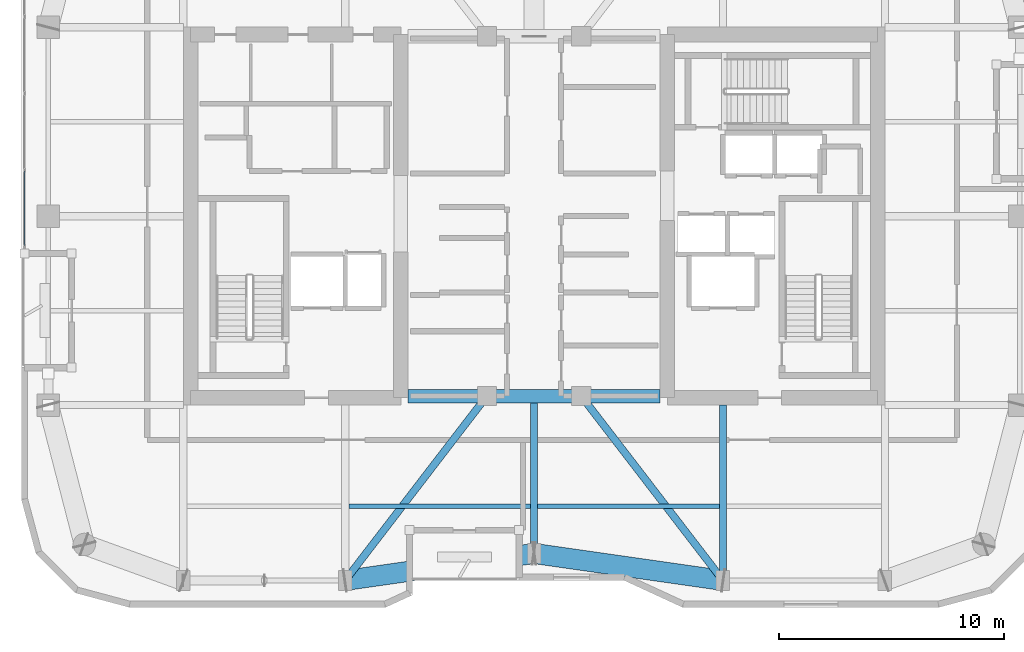
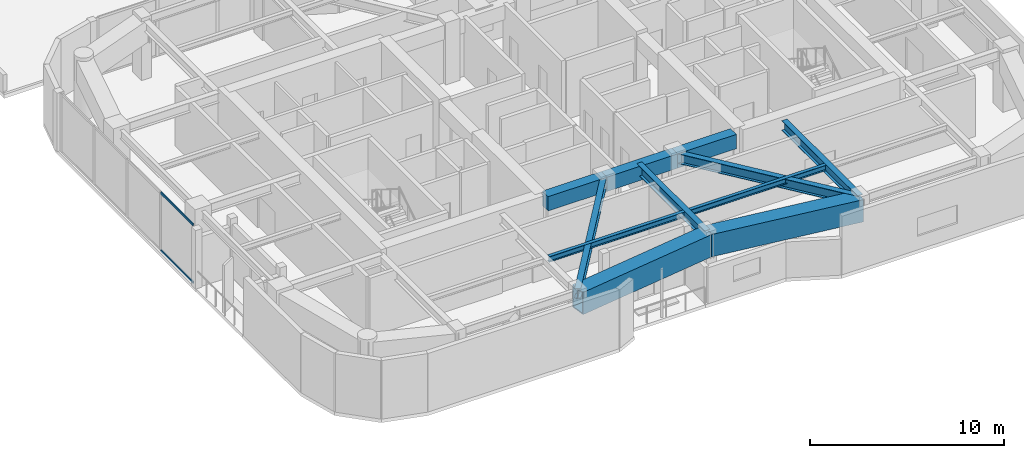
# One storey, part 3 of 16: 11 beams, 2 members, 1 element without a shape of its own.
"""IFC4 building model written with IfcOpenShell, lengths in metres."""

from ifc_helpers import new_model, si_unit, direction, frame, origin, origin_2d, place, context, subcontext, project, spatial, rectangle, hollow_rectangle, i_section, extrude, material, layer, layer_set, material_profile, profile_set, type_object, element, aggregate, save


model = new_model("IFC4")

# Units and contexts
model_context = context("Model", 3, precision=1e-05, world=origin(), true_north=direction((0.0, 1.0)))
body_context = subcontext(model_context, "Body", "Model", "MODEL_VIEW")
ifc_project = project(units=[si_unit("LENGTHUNIT", "METRE"), si_unit("AREAUNIT", "SQUARE_METRE"), si_unit("VOLUMEUNIT", "CUBIC_METRE"), si_unit("PLANEANGLEUNIT", "RADIAN"), si_unit("MASSUNIT", "GRAM", prefix="KILO")], contexts=[model_context])

# Site, building, storey
site_placement = place(None, origin())
site = spatial("IfcSite", under=ifc_project, at=site_placement, CompositionType="ELEMENT")
building_placement = place(site_placement, origin())
building = spatial("IfcBuilding", under=site, at=building_placement, Name="Kiyonajd Concourse Tower", CompositionType="ELEMENT")
storey_placement = place(building_placement, frame((0.0, 0.0, 255.0)))
storey = spatial("IfcBuildingStorey", under=building, at=storey_placement, Name="L64", CompositionType="ELEMENT", Elevation=255.0)

# Beams
ifc_material_1 = material(Name="Concrete C60/75", Category="concrete")
ifc_material_profile_1 = material_profile(ifc_material_1, rectangle(XDim=0.60009765625, YDim=0.89990234375, at=origin_2d()), Name="RCBM-600x900")
ifc_profile_set_1 = profile_set([ifc_material_profile_1], Name="Concrete C60/75")
beam_type_1 = type_object("IfcBeamType", Name="BM-COUP-900", PredefinedType="LINTEL", material=ifc_profile_set_1)
beam_1_placement = place(storey_placement, frame((42.39990234375, 28.0, 3.22998046875), z_axis=(1.0, 0.0, 0.0), x_axis=(0.0, 1.0, 0.0)))
element("IfcBeam", 1, at=beam_1_placement, inside=storey, type_object=beam_type_1, Name="L64 Core Coupling Beam S1", PredefinedType="LINTEL", context=body_context, shape_type="SweptSolid", body=[
    extrude(rectangle(XDim=0.60009765625, YDim=0.89990234375, at=origin_2d()), origin(), (0.0, 0.0, 1.0), 3.5),
])
beam_2_placement = place(storey_placement, frame((45.89990234375, 28.0, 3.22998046875), z_axis=(1.0, 0.0, 0.0), x_axis=(0.0, 1.0, 0.0)))
element("IfcBeam", 2, at=beam_2_placement, inside=storey, type_object=beam_type_1, Name="L64 Core Coupling Beam S2", PredefinedType="LINTEL", context=body_context, shape_type="SweptSolid", body=[
    extrude(rectangle(XDim=0.60009765625, YDim=0.89990234375, at=origin_2d()), origin(), (0.0, 0.0, 1.0), 4.2001953125),
])
beam_3_placement = place(storey_placement, frame((50.10009765625, 28.0, 3.22998046875), z_axis=(1.0, 0.0, 0.0), x_axis=(0.0, 1.0, 0.0)))
element("IfcBeam", 3, at=beam_3_placement, inside=storey, type_object=beam_type_1, Name="L64 Core Coupling Beam S3", PredefinedType="LINTEL", context=body_context, shape_type="SweptSolid", body=[
    extrude(rectangle(XDim=0.60009765625, YDim=0.89990234375, at=origin_2d()), origin(), (0.0, 0.0, 1.0), 3.5),
])
ifc_material_2 = material(Name="Steel ASTM A992 Grade 50", Category="steel")
ifc_material_profile_2 = material_profile(ifc_material_2, i_section(OverallWidth=0.205078125, OverallDepth=0.35400390625, WebThickness=0.009521484375, FlangeThickness=0.016845703125, at=origin_2d()), Name="W360X79")
ifc_profile_set_2 = profile_set([ifc_material_profile_2], Name="Steel ASTM A992 Grade 50")
beam_type_2 = type_object("IfcBeamType", Name="BM-JST-360", PredefinedType="JOIST", material=ifc_profile_set_2)
for number, where, z_axis, x_axis, name in (
    (4, (39.761962890625, 23.10009765625, 3.5029296875), (1.0, 0.0, 0.0), (0.0, 1.0, 0.0), "L64 Secondary Floor Joist"),
    (5, (48.162109375, 23.10009765625, 3.5029296875), (1.0, 0.0, 0.0), (0.0, 1.0, 0.0), "L64 Secondary Floor Joist"),
):
    element("IfcBeam", number, at=place(storey_placement, frame(where, z_axis=z_axis, x_axis=x_axis)), inside=storey, type_object=beam_type_2, Name=name, PredefinedType="JOIST", context=body_context, shape_type="SweptSolid", body=[
        extrude(i_section(OverallWidth=0.205078125, OverallDepth=0.35400390625, WebThickness=0.009521484375, FlangeThickness=0.016845703125, at=origin_2d()), origin(), (0.0, 0.0, 1.0), 8.075927734375),
    ])
ifc_material_profile_3 = material_profile(ifc_material_2, i_section(OverallWidth=0.326904296875, OverallDepth=0.6220703125, WebThickness=0.015380859375, FlangeThickness=0.0244140625, at=origin_2d()), Name="W610X195")
ifc_profile_set_3 = profile_set([ifc_material_profile_3], Name="Steel ASTM A992 Grade 50")
beam_type_3 = type_object("IfcBeamType", Name="BM-TWR-610A", PredefinedType="BEAM", material=ifc_profile_set_3)
for number, where, z_axis, x_axis, name in (
    (6, (39.60009765625, 19.800048828125, 3.368896484375), (0.609233709922, 0.792990722956, 0.0), (-0.792990722956, 0.609233709922, 0.0), "L64 Core Tie Girder"),
    (7, (50.10009765625, 28.0, 3.368896484375), (0.609233709922, -0.792990722956, 0.0), (0.792990722956, 0.609233709922, 0.0), "L64 Core Tie Girder"),
):
    element("IfcBeam", number, at=place(storey_placement, frame(where, z_axis=z_axis, x_axis=x_axis)), inside=storey, type_object=beam_type_3, Name=name, PredefinedType="BEAM", context=body_context, shape_type="SweptSolid", body=[
        extrude(i_section(OverallWidth=0.326904296875, OverallDepth=0.6220703125, WebThickness=0.015380859375, FlangeThickness=0.0244140625, at=origin_2d()), origin(), (0.0, 0.0, 1.0), 10.340576171875),
    ])
ifc_material_profile_4 = material_profile(ifc_material_2, i_section(OverallWidth=0.323974609375, OverallDepth=0.611083984375, WebThickness=0.0126953125, FlangeThickness=0.01904296875, at=origin_2d()), Name="W610X155")
ifc_profile_set_4 = profile_set([ifc_material_profile_4], Name="Steel ASTM A992 Grade 50")
beam_type_4 = type_object("IfcBeamType", Name="BM-TWR-610B", PredefinedType="BEAM", material=ifc_profile_set_4)
beam_4_placement = place(storey_placement, frame((56.39990234375, 19.800048828125, 3.37451171875), z_axis=(0.0, 1.0, 0.0), x_axis=(-1.0, 0.0, 0.0)))
element("IfcBeam", 8, at=beam_4_placement, inside=storey, type_object=beam_type_4, Name="L64 South Lease Girder", PredefinedType="BEAM", context=body_context, shape_type="SweptSolid", body=[
    extrude(i_section(OverallWidth=0.323974609375, OverallDepth=0.611083984375, WebThickness=0.0126953125, FlangeThickness=0.01904296875, at=origin_2d()), origin(), (0.0, 0.0, 1.0), 7.800048828125),
])
beam_5_placement = place(storey_placement, frame((48.0, 21.0, 3.37451171875), z_axis=(0.0, 1.0, 0.0), x_axis=(-1.0, 0.0, 0.0)))
element("IfcBeam", 9, at=beam_5_placement, inside=storey, type_object=beam_type_4, Name="L64 South Ribbon Girder", PredefinedType="BEAM", context=body_context, shape_type="SweptSolid", body=[
    extrude(i_section(OverallWidth=0.323974609375, OverallDepth=0.611083984375, WebThickness=0.0126953125, FlangeThickness=0.01904296875, at=origin_2d()), origin(), (0.0, 0.0, 1.0), 7.0),
])
ifc_material_3 = material(Name="Steel ASTM A572 Grade 50", Category="steel")
ifc_material_profile_5 = material_profile(ifc_material_3, hollow_rectangle(XDim=0.89990234375, YDim=1.39990234375, WallThickness=0.070068359375, at=origin_2d()), Name="BOX-1400x900x70")
ifc_profile_set_5 = profile_set([ifc_material_profile_5], Name="Steel ASTM A572 Grade 50")
beam_type_5 = type_object("IfcBeamType", Name="BM-XFER-1400", PredefinedType="BEAM", material=ifc_profile_set_5)
for number, where, z_axis, x_axis, name in (
    (10, (39.60009765625, 19.800048828125, 2.97998046875), (0.989950069105, 0.141417328072, 0.0), (-0.141417328072, 0.989950069105, 0.0), "L64 Perimeter Bundled Tube Spandrel"),
    (11, (48.0, 21.0, 2.97998046875), (0.989950069105, -0.141417328072, 0.0), (0.141417328072, 0.989950069105, 0.0), "L64 Perimeter Bundled Tube Spandrel"),
):
    element("IfcBeam", number, at=place(storey_placement, frame(where, z_axis=z_axis, x_axis=x_axis)), inside=storey, type_object=beam_type_5, Name=name, PredefinedType="BEAM", context=body_context, shape_type="SweptSolid", body=[
        extrude(hollow_rectangle(XDim=0.89990234375, YDim=1.39990234375, WallThickness=0.070068359375, at=origin_2d()), origin(), (0.0, 0.0, 1.0), 8.485107421875),
    ])

# Curtain wall, members
ifc_material_4 = material(Name="Thermally Broken Anodised Aluminium", Category="aluminium")
ifc_layer = layer(ifc_material_4, 0.179931640625)
ifc_layer_set = layer_set([ifc_layer], Name="Thermally Broken Anodised Aluminium")
curtain_wall_type = type_object("IfcCurtainWallType", Name="CW-SYS-04", PredefinedType="NOTDEFINED", material=ifc_layer_set)
curtain_wall_placement = place(storey_placement, origin())
curtain_wall = element("IfcCurtainWall", 12, at=curtain_wall_placement, inside=storey, type_object=curtain_wall_type, Name="L64 Unitised Curtain Wall CW4", PredefinedType="NOTDEFINED")
ifc_material_profile_6 = material_profile(ifc_material_4, hollow_rectangle(XDim=0.06494140625, YDim=0.139892578125, WallThickness=0.00390625, at=origin_2d()), Name="TRAN-65x140")
ifc_profile_set_6 = profile_set([ifc_material_profile_6], Name="Thermally Broken Anodised Aluminium")
member_type = type_object("IfcMemberType", Name="MB-CW-TRAN1", PredefinedType="USERDEFINED", material=ifc_profile_set_6)
member_1_placement = place(storey_placement, frame((25.340087890625, 34.695068359375, 0.032470703125), z_axis=(0.0, 1.0, 0.0), x_axis=(-1.0, 0.0, 0.0)))
member_1 = element("IfcMember", 13, at=member_1_placement, type_object=member_type, Name="CW4 transom 1.1", ObjectType="TRANSOM", PredefinedType="USERDEFINED", context=body_context, shape_type="SweptSolid", body=[
    extrude(hollow_rectangle(XDim=0.06494140625, YDim=0.139892578125, WallThickness=0.00390625, at=origin_2d()), origin(), (0.0, 0.0, 1.0), 3.31787109375),
])
member_2_placement = place(storey_placement, frame((25.340087890625, 34.695068359375, 3.6474609375), z_axis=(0.0, 1.0, 0.0), x_axis=(-1.0, 0.0, 0.0)))
member_2 = element("IfcMember", 14, at=member_2_placement, type_object=member_type, Name="CW4 transom 1.2", ObjectType="TRANSOM", PredefinedType="USERDEFINED", context=body_context, shape_type="SweptSolid", body=[
    extrude(hollow_rectangle(XDim=0.06494140625, YDim=0.139892578125, WallThickness=0.00390625, at=origin_2d()), origin(), (0.0, 0.0, 1.0), 3.31787109375),
])
aggregate(curtain_wall, [member_1, member_2])

save(model, "model.ifc")
